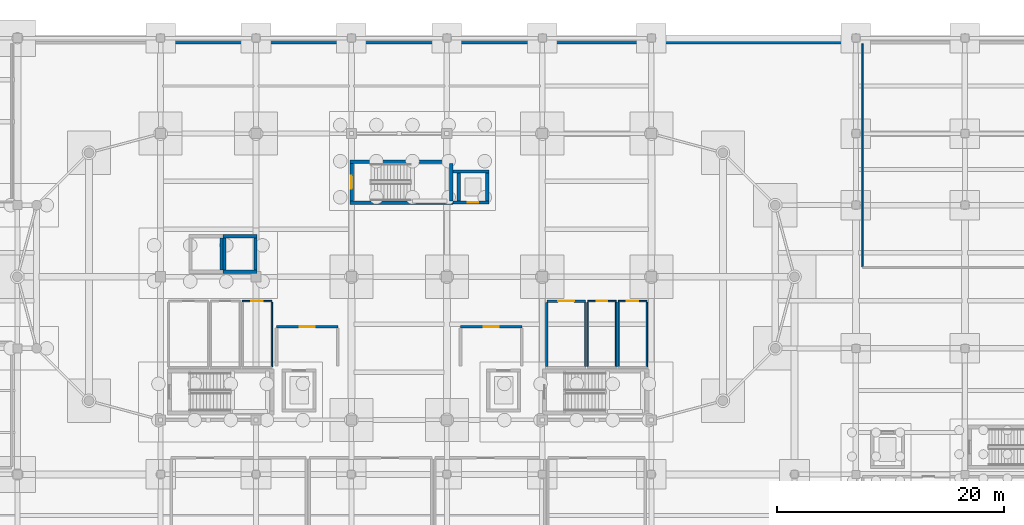
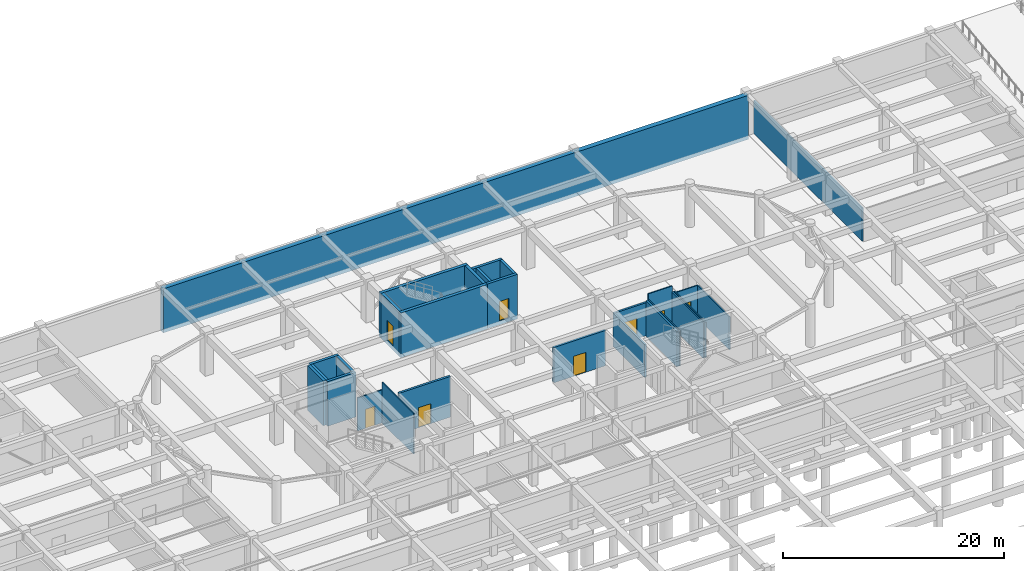
# One storey, part 24 of 37: 28 walls, 8 doors, 8 openings.
"""IFC4 building model written with IfcOpenShell, lengths in metres."""

from ifc_helpers import new_model, si_unit, direction, frame, frame_2d, origin, place, context, subcontext, project, spatial, rectangle, extrude, material, layer, layer_set, type_object, element, fill, save


model = new_model("IFC4")

# Units and contexts
model_context = context("Model", 3, precision=1e-05, world=origin(), true_north=direction((0.0, 1.0)))
body_context = subcontext(model_context, "Body", "Model", "MODEL_VIEW")
ifc_project = project(units=[si_unit("LENGTHUNIT", "METRE"), si_unit("AREAUNIT", "SQUARE_METRE"), si_unit("VOLUMEUNIT", "CUBIC_METRE"), si_unit("PLANEANGLEUNIT", "RADIAN"), si_unit("MASSUNIT", "GRAM", prefix="KILO")], contexts=[model_context])

# Site, building, storey
site_placement = place(None, origin())
site = spatial("IfcSite", under=ifc_project, at=site_placement, CompositionType="ELEMENT")
building_placement = place(site_placement, origin())
building = spatial("IfcBuilding", under=site, at=building_placement, Name="Tarnavel Promenade Courthouse", CompositionType="ELEMENT")
storey_placement = place(building_placement, frame((0.0, 0.0, -4.800048828125)))
storey = spatial("IfcBuildingStorey", under=building, at=storey_placement, Name="B01", CompositionType="ELEMENT", Elevation=-4.800048828125)

# Walls
ifc_material_1 = material(Name="Concrete C35/45", Category="concrete")
ifc_layer_1 = layer(ifc_material_1, 0.5)
ifc_layer_set_1 = layer_set([ifc_layer_1], Name="Concrete C35/45")
wall_type_1 = type_object("IfcWallType", Name="Concrete C35/45 WL-RET-500 (500 mm)", PredefinedType="SOLIDWALL", material=ifc_layer_set_1)
wall_1_placement = place(storey_placement, frame((58.800048828125, 112.550048828125, -0.419921875), z_axis=(0.0, 0.0, 1.0), x_axis=(1.0, 0.0, 0.0)))
element("IfcWall", 1, at=wall_1_placement, inside=storey, type_object=wall_type_1, Name="B01 North Perimeter Retaining Wall 0003", PredefinedType="SOLIDWALL", context=body_context, shape_type="SweptSolid", body=[
    extrude(rectangle(XDim=61.199951171875, YDim=0.5, at=frame_2d((30.60009765625, 0.0))), origin(), (0.0, 0.0, 1.0), 4.869873046875),
])
ifc_material_2 = material(Name="Concrete C40/50", Category="concrete")
ifc_layer_2 = layer(ifc_material_2, 0.280029296875)
ifc_layer_set_2 = layer_set([ifc_layer_2], Name="Concrete C40/50")
wall_type_2 = type_object("IfcWallType", Name="Concrete C40/50 WL-SHR-280 (280 mm)", PredefinedType="SHEAR", material=ifc_layer_set_2)
wall_2_placement = place(storey_placement, frame((64.159912109375, 95.219970703125, -0.419921875), z_axis=(0.0, 0.0, 1.0), x_axis=(0.0, -1.0, 0.0)))
element("IfcWall", 2, at=wall_2_placement, inside=storey, type_object=wall_type_2, Name="B01 L-PUB1 Lift Shaft East Wall", PredefinedType="SHEAR", context=body_context, shape_type="SweptSolid", body=[
    extrude(rectangle(XDim=2.840087890625, YDim=0.280029296875, at=frame_2d((1.419921875, 0.0))), origin(), (0.0, 0.0, 1.0), 4.93994140625),
])
for number, where, z_axis, x_axis, name in (
    (3, (64.300048828125, 95.360107421875, -0.419921875), (0.0, 0.0, 1.0), (1.0, 0.0, 0.0), "B01 L-PUB2 Lift Shaft North Wall"),
    (4, (67.300048828125, 92.239990234375, -0.419921875), (0.0, 0.0, 1.0), (-1.0, 0.0, 0.0), "B01 L-PUB2 Lift Shaft South Wall"),
):
    element("IfcWall", number, at=place(storey_placement, frame(where, z_axis=z_axis, x_axis=x_axis)), inside=storey, type_object=wall_type_2, Name=name, PredefinedType="SHEAR", context=body_context, shape_type="SweptSolid", body=[
        extrude(rectangle(XDim=3.0, YDim=0.280029296875, at=frame_2d((1.5, 0.0))), origin(), (0.0, 0.0, 1.0), 4.93994140625),
    ])
for number, where, z_axis, x_axis, name in (
    (5, (64.43994140625, 92.3798828125, -0.419921875), (0.0, 0.0, 1.0), (0.0, 1.0, 0.0), "B01 L-PUB2 Lift Shaft West Wall"),
    (6, (67.159912109375, 95.219970703125, -0.419921875), (0.0, 0.0, 1.0), (0.0, -1.0, 0.0), "B01 L-PUB2 Lift Shaft East Wall"),
):
    element("IfcWall", number, at=place(storey_placement, frame(where, z_axis=z_axis, x_axis=x_axis)), inside=storey, type_object=wall_type_2, Name=name, PredefinedType="SHEAR", context=body_context, shape_type="SweptSolid", body=[
        extrude(rectangle(XDim=2.840087890625, YDim=0.280029296875, at=frame_2d((1.419921875, 0.0))), origin(), (0.0, 0.0, 1.0), 4.93994140625),
    ])
wall_3_placement = place(storey_placement, frame((84.5400390625, 101.06005859375, -0.419921875), z_axis=(0.0, 0.0, 1.0), x_axis=(1.0, 0.0, 0.0)))
element("IfcWall", 7, at=wall_3_placement, inside=storey, type_object=wall_type_2, Name="B01 L-JUD1 Lift Shaft North Wall", PredefinedType="SHEAR", context=body_context, shape_type="SweptSolid", body=[
    extrude(rectangle(XDim=3.159912109375, YDim=0.280029296875, at=frame_2d((1.580078125, 0.0))), origin(), (0.0, 0.0, 1.0), 4.93994140625),
])

# Wall, opening, door
wall_4_placement = place(storey_placement, frame((87.699951171875, 98.340087890625, -0.419921875), z_axis=(0.0, 0.0, 1.0), x_axis=(-1.0, 0.0, 0.0)))
wall_4 = element("IfcWall", 8, at=wall_4_placement, inside=storey, type_object=wall_type_2, Name="B01 L-JUD1 Lift Shaft South Wall", PredefinedType="SHEAR", context=body_context, shape_type="SweptSolid", body=[
    extrude(rectangle(XDim=3.159912109375, YDim=0.280029296875, at=frame_2d((1.580078125, 0.0))), origin(), (0.0, 0.0, 1.0), 4.93994140625),
])
opening_1_placement = place(wall_4_placement, frame((0.925048828125, 0.0, 0.419921875)))
opening_1 = element("IfcOpeningElement", 9, at=opening_1_placement, cuts=wall_4, Name="Opening LD-03", PredefinedType="OPENING", context=body_context, shape_type="SweptSolid", body=[
    extrude(rectangle(XDim=0.949951171875, YDim=2.14990234375, at=frame_2d((0.47509765625, 1.074951171875))), frame((0.0, 0.14990234375, 0.0), z_axis=(0.0, -1.0, 0.0), x_axis=(1.0, 0.0, 0.0)), (0.0, 0.0, 1.0), 0.300048828125),
])
ifc_material_3 = material(Name="Stainless Steel Judicial Lift Landing Sliding Door", Category="steel")
door_type_1 = type_object("IfcDoorType", Name="Stainless Steel Judicial Lift Landing Sliding Door (LD-JUD-0950x2150)", OperationType="NOTDEFINED", PredefinedType="DOOR", material=ifc_material_3)
door_1_placement = place(opening_1_placement, origin())
door_1 = element("IfcDoor", 10, at=door_1_placement, inside=storey, type_object=door_type_1, Name="B01 L-JUD1 Lift Sliding Landing Door", OperationType="DOUBLE_DOOR_SLIDING", OverallHeight=2.14990234375, OverallWidth=0.949951171875, PredefinedType="DOOR", context=body_context, shape_type="SweptSolid", body=[
    extrude(rectangle(XDim=0.949951171875, YDim=2.14990234375, at=frame_2d((0.47509765625, 1.074951171875))), frame((0.0, 0.02490234375, 0.0), z_axis=(0.0, -1.0, 0.0), x_axis=(1.0, 0.0, 0.0)), (0.0, 0.0, 1.0), 0.050048828125),
])
fill(opening_1, door_1)

# Walls
for number, where, z_axis, x_axis, name in (
    (11, (85.0400390625, 98.47998046875, -0.419921875), (0.0, 0.0, 1.0), (0.0, 1.0, 0.0), "B01 L-JUD1 Lift Shaft West Wall"),
    (12, (87.56005859375, 100.919921875, -0.419921875), (0.0, 0.0, 1.0), (0.0, -1.0, 0.0), "B01 L-JUD1 Lift Shaft East Wall"),
):
    element("IfcWall", number, at=place(storey_placement, frame(where, z_axis=z_axis, x_axis=x_axis)), inside=storey, type_object=wall_type_2, Name=name, PredefinedType="SHEAR", context=body_context, shape_type="SweptSolid", body=[
        extrude(rectangle(XDim=2.43994140625, YDim=0.280029296875, at=frame_2d((1.219970703125, 0.0))), origin(), (0.0, 0.0, 1.0), 4.93994140625),
    ])
ifc_layer_3 = layer(ifc_material_2, 0.320068359375)
ifc_layer_set_3 = layer_set([ifc_layer_3], Name="Concrete C40/50")
wall_type_3 = type_object("IfcWallType", Name="Concrete C40/50 WL-SHR-320 (320 mm)", PredefinedType="SHEAR", material=ifc_layer_set_3)
for number, where, z_axis, x_axis, name in (
    (13, (75.4599609375, 101.919921875, -0.419921875), (0.0, 0.0, 1.0), (1.0, 0.0, 0.0), "B01 ST-03 Shear Core North Wall"),
    (14, (84.5400390625, 98.320068359375, -0.419921875), (0.0, 0.0, 1.0), (-1.0, 0.0, 0.0), "B01 ST-03 Shear Core South Wall"),
):
    element("IfcWall", number, at=place(storey_placement, frame(where, z_axis=z_axis, x_axis=x_axis)), inside=storey, type_object=wall_type_3, Name=name, PredefinedType="SHEAR", context=body_context, shape_type="SweptSolid", body=[
        extrude(rectangle(XDim=9.080078125, YDim=0.320068359375, at=frame_2d((4.5400390625, 0.0))), origin(), (0.0, 0.0, 1.0), 4.93994140625),
    ])

# Wall, opening, door
wall_5_placement = place(storey_placement, frame((75.6201171875, 98.47998046875, -0.419921875), z_axis=(0.0, 0.0, 1.0), x_axis=(0.0, 1.0, 0.0)))
wall_5 = element("IfcWall", 15, at=wall_5_placement, inside=storey, type_object=wall_type_3, Name="B01 ST-03 Shear Core West Landing Wall", PredefinedType="SHEAR", context=body_context, shape_type="SweptSolid", body=[
    extrude(rectangle(XDim=3.280029296875, YDim=0.320068359375, at=frame_2d((1.64013671875, 0.0))), origin(), (0.0, 0.0, 1.0), 4.93994140625),
])
opening_2_placement = place(wall_5_placement, frame((1.06494140625, 0.0, 0.419921875)))
opening_2 = element("IfcOpeningElement", 16, at=opening_2_placement, cuts=wall_5, Name="Opening FD-01", PredefinedType="OPENING", context=body_context, shape_type="SweptSolid", body=[
    extrude(rectangle(XDim=1.14990234375, YDim=2.199951171875, at=frame_2d((0.574951171875, 1.10009765625))), frame((0.0, 0.169921875, 0.0), z_axis=(0.0, -1.0, 0.0), x_axis=(1.0, 0.0, 0.0)), (0.0, 0.0, 1.0), 0.340087890625),
])
ifc_material_4 = material(Name="Steel Fire-Rated Stair Core Door", Category="steel")
door_type_2 = type_object("IfcDoorType", Name="Steel Fire-Rated Stair Core Door (DR-ST-1150x2200)", OperationType="NOTDEFINED", PredefinedType="DOOR", material=ifc_material_4)
door_2_placement = place(opening_2_placement, origin())
door_2 = element("IfcDoor", 17, at=door_2_placement, inside=storey, type_object=door_type_2, Name="B01 ST-03 Protected Exit Stair Door", OperationType="SINGLE_SWING_RIGHT", OverallHeight=2.199951171875, OverallWidth=1.14990234375, PredefinedType="DOOR", context=body_context, shape_type="SweptSolid", body=[
    extrude(rectangle(XDim=1.14990234375, YDim=2.199951171875, at=frame_2d((0.574951171875, 1.10009765625))), frame((0.0, 0.02490234375, 0.0), z_axis=(0.0, -1.0, 0.0), x_axis=(1.0, 0.0, 0.0)), (0.0, 0.0, 1.0), 0.050048828125),
])
fill(opening_2, door_2)

# Wall
wall_6_placement = place(storey_placement, frame((84.3798828125, 101.760009765625, -0.419921875), z_axis=(0.0, 0.0, 1.0), x_axis=(0.0, -1.0, 0.0)))
element("IfcWall", 18, at=wall_6_placement, inside=storey, type_object=wall_type_3, Name="B01 ST-03 Shear Core East Wall", PredefinedType="SHEAR", context=body_context, shape_type="SweptSolid", body=[
    extrude(rectangle(XDim=3.280029296875, YDim=0.320068359375, at=frame_2d((1.64013671875, 0.0))), origin(), (0.0, 0.0, 1.0), 4.93994140625),
])

# Wall, opening, door
ifc_material_5 = material(Name="Concrete Masonry Fire Compartment Wall", Category="masonry")
ifc_layer_4 = layer(ifc_material_5, 0.205078125)
ifc_layer_set_4 = layer_set([ifc_layer_4], Name="Concrete Masonry Fire Compartment Wall")
wall_type_4 = type_object("IfcWallType", Name="Concrete Masonry Fire Compartment Wall WL-CMP-205 (205 mm)", PredefinedType="STANDARD", material=ifc_layer_set_4)
wall_7_placement = place(storey_placement, frame((92.800048828125, 89.64990234375, 0.0), z_axis=(0.0, 0.0, 1.0), x_axis=(1.0, 0.0, 0.0)))
wall_7 = element("IfcWall", 19, at=wall_7_placement, inside=storey, type_object=wall_type_4, Name="B01 B01 Court Transcript Records Room Partition 0027", PredefinedType="STANDARD", context=body_context, shape_type="SweptSolid", body=[
    extrude(rectangle(XDim=3.39990234375, YDim=0.205078125, at=frame_2d((1.699951171875, 0.0))), origin(), (0.0, 0.0, 1.0), 3.650146484375),
])
opening_3_placement = place(wall_7_placement, frame((1.0, 0.0, 0.0)))
opening_3 = element("IfcOpeningElement", 20, at=opening_3_placement, cuts=wall_7, Name="Opening FD-04", PredefinedType="OPENING", context=body_context, shape_type="SweptSolid", body=[
    extrude(rectangle(XDim=1.39990234375, YDim=2.25, at=frame_2d((0.699951171875, 1.125))), frame((0.0, 0.112548828125, 0.0), z_axis=(0.0, -1.0, 0.0), x_axis=(1.0, 0.0, 0.0)), (0.0, 0.0, 1.0), 0.22509765625),
])
ifc_material_6 = material(Name="Heavy Steel Plant Room Fire Door", Category="steel")
door_type_3 = type_object("IfcDoorType", Name="Heavy Steel Plant Room Fire Door (DR-PLT-1400x2250)", OperationType="NOTDEFINED", PredefinedType="DOOR", material=ifc_material_6)
door_3_placement = place(opening_3_placement, origin())
door_3 = element("IfcDoor", 21, at=door_3_placement, inside=storey, type_object=door_type_3, Name="B01 B01 Court Transcript Records Room Door 0008", OperationType="SINGLE_SWING_RIGHT", OverallHeight=2.25, OverallWidth=1.39990234375, PredefinedType="DOOR", context=body_context, shape_type="SweptSolid", body=[
    extrude(rectangle(XDim=1.39990234375, YDim=2.25, at=frame_2d((0.699951171875, 1.125))), frame((0.0, 0.02490234375, 0.0), z_axis=(0.0, -1.0, 0.0), x_axis=(1.0, 0.0, 0.0)), (0.0, 0.0, 1.0), 0.050048828125),
])
fill(opening_3, door_3)

# Walls
wall_8_placement = place(storey_placement, frame((92.800048828125, 83.91259765625, 0.0), z_axis=(0.0, 0.0, 1.0), x_axis=(0.0, 1.0, 0.0)))
element("IfcWall", 22, at=wall_8_placement, inside=storey, type_object=wall_type_4, Name="B01 B01 Court Transcript Records Room Partition 0029", PredefinedType="STANDARD", context=body_context, shape_type="SweptSolid", body=[
    extrude(rectangle(XDim=5.625, YDim=0.205078125, at=frame_2d((2.8125, 0.0))), origin(), (0.0, 0.0, 1.0), 3.650146484375),
])
wall_9_placement = place(storey_placement, frame((96.199951171875, 89.53759765625, 0.0), z_axis=(0.0, 0.0, 1.0), x_axis=(0.0, -1.0, 0.0)))
element("IfcWall", 23, at=wall_9_placement, inside=storey, type_object=wall_type_4, Name="B01 B01 Court Transcript Records Room Partition 0030", PredefinedType="STANDARD", context=body_context, shape_type="SweptSolid", body=[
    extrude(rectangle(XDim=5.625, YDim=0.205078125, at=frame_2d((2.8125, 0.0))), origin(), (0.0, 0.0, 1.0), 3.900146484375),
])

# Wall, opening, door
ifc_layer_5 = layer(ifc_material_5, 0.22998046875)
ifc_layer_set_5 = layer_set([ifc_layer_5], Name="Concrete Masonry Fire Compartment Wall")
wall_type_5 = type_object("IfcWallType", Name="Concrete Masonry Fire Compartment Wall WL-CMP-230 (230 mm)", PredefinedType="STANDARD", material=ifc_layer_set_5)
wall_10_placement = place(storey_placement, frame((69.0, 87.39990234375, 0.0), z_axis=(0.0, 0.0, 1.0), x_axis=(1.0, 0.0, 0.0)))
wall_10 = element("IfcWall", 24, at=wall_10_placement, inside=storey, type_object=wall_type_5, Name="B01 Firefighting Lobby L-FF1 Partition 0001", PredefinedType="STANDARD", context=body_context, shape_type="SweptSolid", body=[
    extrude(rectangle(XDim=5.39990234375, YDim=0.22998046875, at=frame_2d((2.699951171875, 0.0))), origin(), (0.0, 0.0, 1.0), 4.505126953125),
])
opening_4_placement = place(wall_10_placement, frame((2.050048828125, 0.0, 0.0)))
opening_4 = element("IfcOpeningElement", 25, at=opening_4_placement, cuts=wall_10, Name="Opening FD-03", PredefinedType="OPENING", context=body_context, shape_type="SweptSolid", body=[
    extrude(rectangle(XDim=1.300048828125, YDim=2.199951171875, at=frame_2d((0.64990234375, 1.10009765625))), frame((0.0, 0.125, 0.0), z_axis=(0.0, -1.0, 0.0), x_axis=(1.0, 0.0, 0.0)), (0.0, 0.0, 1.0), 0.25),
])
ifc_material_7 = material(Name="Smoke-Sealed Firefighting Lobby Fire Door")
door_type_4 = type_object("IfcDoorType", Name="Smoke-Sealed Firefighting Lobby Fire Door (DR-FFL-1300x2200)", OperationType="NOTDEFINED", PredefinedType="DOOR", material=ifc_material_7)
door_4_placement = place(opening_4_placement, origin())
door_4 = element("IfcDoor", 26, at=door_4_placement, inside=storey, type_object=door_type_4, Name="B01 Firefighting Lobby L-FF1 Door 0001", OperationType="SINGLE_SWING_LEFT", OverallHeight=2.199951171875, OverallWidth=1.300048828125, PredefinedType="DOOR", context=body_context, shape_type="SweptSolid", body=[
    extrude(rectangle(XDim=1.300048828125, YDim=2.199951171875, at=frame_2d((0.64990234375, 1.10009765625))), frame((0.0, 0.02490234375, 0.0), z_axis=(0.0, -1.0, 0.0), x_axis=(1.0, 0.0, 0.0)), (0.0, 0.0, 1.0), 0.050048828125),
])
fill(opening_4, door_4)

wall_11_placement = place(storey_placement, frame((85.199951171875, 87.39990234375, 0.0), z_axis=(0.0, 0.0, 1.0), x_axis=(1.0, 0.0, 0.0)))
wall_11 = element("IfcWall", 27, at=wall_11_placement, inside=storey, type_object=wall_type_5, Name="B01 Firefighting Lobby L-FF2 Partition 0004", PredefinedType="STANDARD", context=body_context, shape_type="SweptSolid", body=[
    extrude(rectangle(XDim=5.400146484375, YDim=0.22998046875, at=frame_2d((2.7001953125, 0.0))), origin(), (0.0, 0.0, 1.0), 3.900146484375),
])
opening_5_placement = place(wall_11_placement, frame((2.050048828125, 0.0, 0.0)))
opening_5 = element("IfcOpeningElement", 28, at=opening_5_placement, cuts=wall_11, Name="Opening FD-03", PredefinedType="OPENING", context=body_context, shape_type="SweptSolid", body=[
    extrude(rectangle(XDim=1.300048828125, YDim=2.199951171875, at=frame_2d((0.64990234375, 1.10009765625))), frame((0.0, 0.125, 0.0), z_axis=(0.0, -1.0, 0.0), x_axis=(1.0, 0.0, 0.0)), (0.0, 0.0, 1.0), 0.25),
])
door_5_placement = place(opening_5_placement, origin())
door_5 = element("IfcDoor", 29, at=door_5_placement, inside=storey, type_object=door_type_4, Name="B01 Firefighting Lobby L-FF2 Door 0002", OperationType="SINGLE_SWING_RIGHT", OverallHeight=2.199951171875, OverallWidth=1.300048828125, PredefinedType="DOOR", context=body_context, shape_type="SweptSolid", body=[
    extrude(rectangle(XDim=1.300048828125, YDim=2.199951171875, at=frame_2d((0.64990234375, 1.10009765625))), frame((0.0, 0.02490234375, 0.0), z_axis=(0.0, -1.0, 0.0), x_axis=(1.0, 0.0, 0.0)), (0.0, 0.0, 1.0), 0.050048828125),
])
fill(opening_5, door_5)

# Wall
ifc_material_8 = material(Name="Metal-Stud Acoustic Gypsum Partition", Category="gypsum")
ifc_layer_6 = layer(ifc_material_8, 0.135009765625)
ifc_layer_set_6 = layer_set([ifc_layer_6], Name="Metal-Stud Acoustic Gypsum Partition")
wall_type_6 = type_object("IfcWallType", Name="Metal-Stud Acoustic Gypsum Partition WL-OFF-135 (135 mm)", PredefinedType="PARTITIONING", material=ifc_layer_set_6)
wall_12_placement = place(storey_placement, frame((120.60009765625, 92.677490234375, 0.0), z_axis=(0.0, 0.0, 1.0), x_axis=(0.0, 1.0, 0.0)))
element("IfcWall", 30, at=wall_12_placement, inside=storey, type_object=wall_type_6, Name="B01 Judicial Car Park East Loop Bays Partition 0078", PredefinedType="PARTITIONING", context=body_context, shape_type="SweptSolid", body=[
    extrude(rectangle(XDim=19.62841796875, YDim=0.135009765625, at=frame_2d((9.814208984375, 0.0))), origin(), (0.0, 0.0, 1.0), 3.68994140625),
])

# Wall, opening, door
ifc_material_9 = material(Name="Moisture-Resistant Tile-Backed Stud Partition", Category="gypsum")
ifc_layer_7 = layer(ifc_material_9, 0.125)
ifc_layer_set_7 = layer_set([ifc_layer_7], Name="Moisture-Resistant Tile-Backed Stud Partition")
wall_type_7 = type_object("IfcWallType", Name="Moisture-Resistant Tile-Backed Stud Partition WL-WET-125 (125 mm)", PredefinedType="PARTITIONING", material=ifc_layer_set_7)
wall_13_placement = place(storey_placement, frame((66.0, 89.64990234375, 0.0), z_axis=(0.0, 0.0, 1.0), x_axis=(1.0, 0.0, 0.0)))
wall_13 = element("IfcWall", 31, at=wall_13_placement, inside=storey, type_object=wall_type_7, Name="B01 Accessible WC Partition 0011", PredefinedType="PARTITIONING", context=body_context, shape_type="SweptSolid", body=[
    extrude(rectangle(XDim=2.60009765625, YDim=0.125, at=frame_2d((1.300048828125, 0.0))), origin(), (0.0, 0.0, 1.0), 3.650146484375),
])
opening_6_placement = place(wall_13_placement, frame((0.800048828125, 0.0, 0.0)))
opening_6 = element("IfcOpeningElement", 32, at=opening_6_placement, cuts=wall_13, Name="Opening ID-09", PredefinedType="OPENING", context=body_context, shape_type="SweptSolid", body=[
    extrude(rectangle(XDim=1.0, YDim=2.10009765625, at=frame_2d((0.5, 1.050048828125))), frame((0.0, 0.072509765625, 0.0), z_axis=(0.0, -1.0, 0.0), x_axis=(1.0, 0.0, 0.0)), (0.0, 0.0, 1.0), 0.14501953125),
])
ifc_material_10 = material(Name="Wide Accessible Restroom Outward Door")
door_type_5 = type_object("IfcDoorType", Name="Wide Accessible Restroom Outward Door (DR-AWC-1000x2100)", OperationType="NOTDEFINED", PredefinedType="DOOR", material=ifc_material_10)
door_6_placement = place(opening_6_placement, origin())
door_6 = element("IfcDoor", 33, at=door_6_placement, inside=storey, type_object=door_type_5, Name="B01 Accessible WC Door 0004", OperationType="SINGLE_SWING_RIGHT", OverallHeight=2.10009765625, OverallWidth=1.0, PredefinedType="DOOR", context=body_context, shape_type="SweptSolid", body=[
    extrude(rectangle(XDim=1.0, YDim=2.10009765625, at=frame_2d((0.5, 1.050048828125))), frame((0.0, 0.02490234375, 0.0), z_axis=(0.0, -1.0, 0.0), x_axis=(1.0, 0.0, 0.0)), (0.0, 0.0, 1.0), 0.050048828125),
])
fill(opening_6, door_6)

# Wall
wall_14_placement = place(storey_placement, frame((68.60009765625, 89.577392578125, 0.0), z_axis=(0.0, 0.0, 1.0), x_axis=(0.0, -1.0, 0.0)))
element("IfcWall", 34, at=wall_14_placement, inside=storey, type_object=wall_type_7, Name="B01 Accessible WC Partition 0014", PredefinedType="PARTITIONING", context=body_context, shape_type="SweptSolid", body=[
    extrude(rectangle(XDim=5.704833984375, YDim=0.125, at=frame_2d((2.8525390625, 0.0))), origin(), (0.0, 0.0, 1.0), 4.505126953125),
])

# Wall, opening, door
wall_15_placement = place(storey_placement, frame((96.39990234375, 89.64990234375, 0.0), z_axis=(0.0, 0.0, 1.0), x_axis=(1.0, 0.0, 0.0)))
wall_15 = element("IfcWall", 35, at=wall_15_placement, inside=storey, type_object=wall_type_7, Name="B01 Staff WC Partition 0015", PredefinedType="PARTITIONING", context=body_context, shape_type="SweptSolid", body=[
    extrude(rectangle(XDim=2.5, YDim=0.125, at=frame_2d((1.25, 0.0))), origin(), (0.0, 0.0, 1.0), 4.505126953125),
])
opening_7_placement = place(wall_15_placement, frame((0.800048828125, 0.0, 0.0)))
opening_7 = element("IfcOpeningElement", 36, at=opening_7_placement, cuts=wall_15, Name="Opening ID-08", PredefinedType="OPENING", context=body_context, shape_type="SweptSolid", body=[
    extrude(rectangle(XDim=0.89990234375, YDim=2.10009765625, at=frame_2d((0.449951171875, 1.050048828125))), frame((0.0, 0.072509765625, 0.0), z_axis=(0.0, -1.0, 0.0), x_axis=(1.0, 0.0, 0.0)), (0.0, 0.0, 1.0), 0.14501953125),
])
ifc_material_11 = material(Name="Moisture-Resistant Laminate Restroom Door")
door_type_6 = type_object("IfcDoorType", Name="Moisture-Resistant Laminate Restroom Door (DR-WC-0900x2100)", OperationType="NOTDEFINED", PredefinedType="DOOR", material=ifc_material_11)
door_7_placement = place(opening_7_placement, origin())
door_7 = element("IfcDoor", 37, at=door_7_placement, inside=storey, type_object=door_type_6, Name="B01 Staff WC Door 0005", OperationType="SINGLE_SWING_LEFT", OverallHeight=2.10009765625, OverallWidth=0.89990234375, PredefinedType="DOOR", context=body_context, shape_type="SweptSolid", body=[
    extrude(rectangle(XDim=0.89990234375, YDim=2.10009765625, at=frame_2d((0.449951171875, 1.050048828125))), frame((0.0, 0.02490234375, 0.0), z_axis=(0.0, -1.0, 0.0), x_axis=(1.0, 0.0, 0.0)), (0.0, 0.0, 1.0), 0.050048828125),
])
fill(opening_7, door_7)

# Walls
for number, where, z_axis, x_axis, name in (
    (38, (96.39990234375, 83.87255859375, 0.0), (0.0, 0.0, 1.0), (0.0, 1.0, 0.0), "B01 Staff WC Partition 0017"),
    (39, (98.89990234375, 89.577392578125, 0.0), (0.0, 0.0, 1.0), (0.0, -1.0, 0.0), "B01 Staff WC Partition 0018"),
):
    element("IfcWall", number, at=place(storey_placement, frame(where, z_axis=z_axis, x_axis=x_axis)), inside=storey, type_object=wall_type_7, Name=name, PredefinedType="PARTITIONING", context=body_context, shape_type="SweptSolid", body=[
        extrude(rectangle(XDim=5.704833984375, YDim=0.125, at=frame_2d((2.8525390625, 0.0))), origin(), (0.0, 0.0, 1.0), 3.900146484375),
    ])

# Wall, opening, door
wall_16_placement = place(storey_placement, frame((99.10009765625, 89.64990234375, 0.0), z_axis=(0.0, 0.0, 1.0), x_axis=(1.0, 0.0, 0.0)))
wall_16 = element("IfcWall", 40, at=wall_16_placement, inside=storey, type_object=wall_type_7, Name="B01 Accessible Staff WC Partition 0019", PredefinedType="PARTITIONING", context=body_context, shape_type="SweptSolid", body=[
    extrude(rectangle(XDim=2.5, YDim=0.125, at=frame_2d((1.25, 0.0))), origin(), (0.0, 0.0, 1.0), 3.650146484375),
])
opening_8_placement = place(wall_16_placement, frame((0.75, 0.0, 0.0)))
opening_8 = element("IfcOpeningElement", 41, at=opening_8_placement, cuts=wall_16, Name="Opening ID-09", PredefinedType="OPENING", context=body_context, shape_type="SweptSolid", body=[
    extrude(rectangle(XDim=1.0, YDim=2.10009765625, at=frame_2d((0.5, 1.050048828125))), frame((0.0, 0.072509765625, 0.0), z_axis=(0.0, -1.0, 0.0), x_axis=(1.0, 0.0, 0.0)), (0.0, 0.0, 1.0), 0.14501953125),
])
door_8_placement = place(opening_8_placement, origin())
door_8 = element("IfcDoor", 42, at=door_8_placement, inside=storey, type_object=door_type_5, Name="B01 Accessible Staff WC Door 0006", OperationType="SINGLE_SWING_RIGHT", OverallHeight=2.10009765625, OverallWidth=1.0, PredefinedType="DOOR", context=body_context, shape_type="SweptSolid", body=[
    extrude(rectangle(XDim=1.0, YDim=2.10009765625, at=frame_2d((0.5, 1.050048828125))), frame((0.0, 0.02490234375, 0.0), z_axis=(0.0, -1.0, 0.0), x_axis=(1.0, 0.0, 0.0)), (0.0, 0.0, 1.0), 0.050048828125),
])
fill(opening_8, door_8)

# Walls
wall_17_placement = place(storey_placement, frame((99.10009765625, 83.87255859375, 0.0), z_axis=(0.0, 0.0, 1.0), x_axis=(0.0, 1.0, 0.0)))
element("IfcWall", 43, at=wall_17_placement, inside=storey, type_object=wall_type_7, Name="B01 Accessible Staff WC Partition 0021", PredefinedType="PARTITIONING", context=body_context, shape_type="SweptSolid", body=[
    extrude(rectangle(XDim=5.704833984375, YDim=0.125, at=frame_2d((2.8525390625, 0.0))), origin(), (0.0, 0.0, 1.0), 3.900146484375),
])
wall_18_placement = place(storey_placement, frame((101.60009765625, 89.577392578125, 0.0), z_axis=(0.0, 0.0, 1.0), x_axis=(0.0, -1.0, 0.0)))
element("IfcWall", 44, at=wall_18_placement, inside=storey, type_object=wall_type_7, Name="B01 Accessible Staff WC Partition 0022", PredefinedType="PARTITIONING", context=body_context, shape_type="SweptSolid", body=[
    extrude(rectangle(XDim=5.704833984375, YDim=0.125, at=frame_2d((2.8525390625, 0.0))), origin(), (0.0, 0.0, 1.0), 3.650146484375),
])

save(model, "model.ifc")
